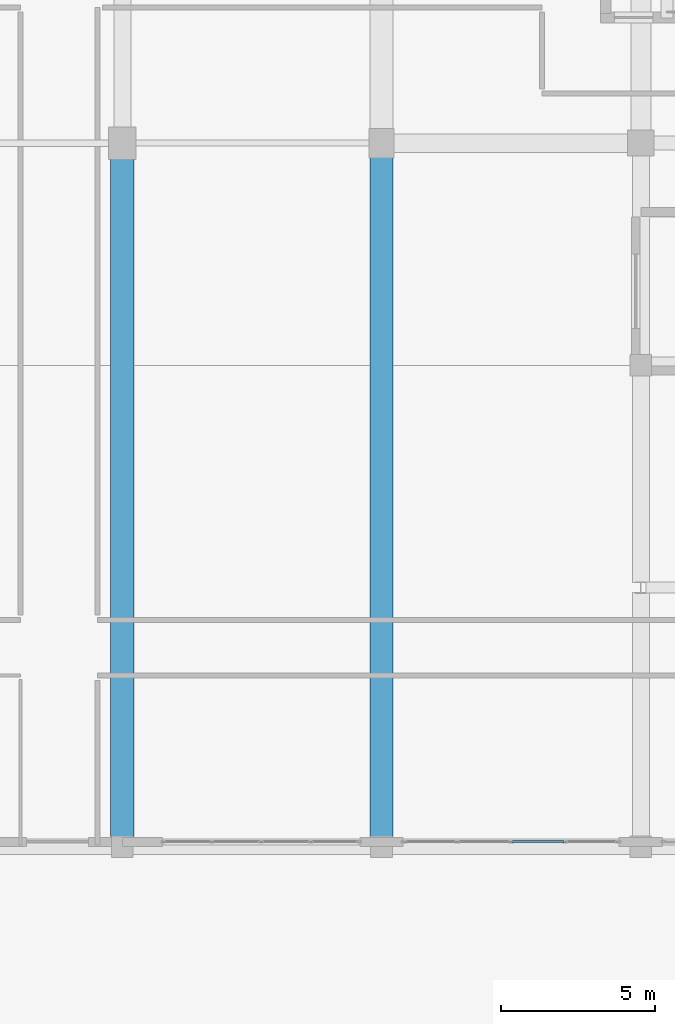
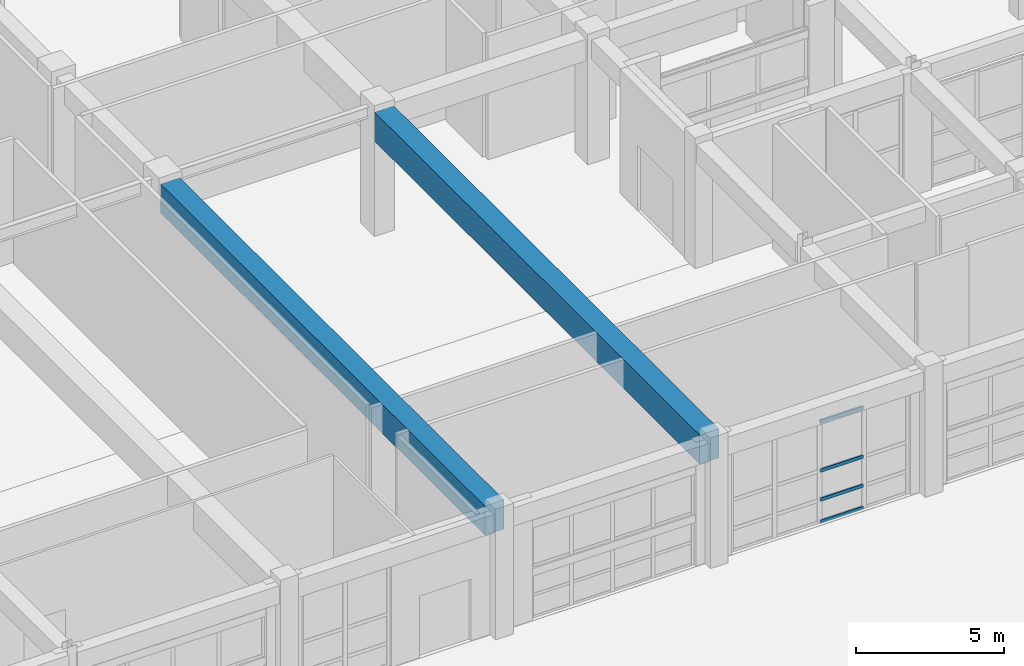
# One storey, part 65 of 148: 4 members, 2 beams, 1 element without a shape of its own.
"""IFC4 building model written with IfcOpenShell, lengths in metres."""

from ifc_helpers import new_model, si_unit, direction, frame, origin, origin_2d, place, context, subcontext, project, spatial, rectangle, hollow_rectangle, extrude, material, layer, layer_set, material_profile, profile_set, type_object, element, aggregate, save


model = new_model("IFC4")

# Units and contexts
model_context = context("Model", 3, precision=1e-05, world=origin(), true_north=direction((0.0, 1.0)))
body_context = subcontext(model_context, "Body", "Model", "MODEL_VIEW")
ifc_project = project(units=[si_unit("LENGTHUNIT", "METRE"), si_unit("AREAUNIT", "SQUARE_METRE"), si_unit("VOLUMEUNIT", "CUBIC_METRE"), si_unit("PLANEANGLEUNIT", "RADIAN"), si_unit("MASSUNIT", "GRAM", prefix="KILO")], contexts=[model_context])

# Site, building, storey
site_placement = place(None, origin())
site = spatial("IfcSite", under=ifc_project, at=site_placement, CompositionType="ELEMENT")
building_placement = place(site_placement, origin())
building = spatial("IfcBuilding", under=site, at=building_placement, Name="Quendrovan Civic Courthouse", CompositionType="ELEMENT")
storey_placement = place(building_placement, origin())
storey = spatial("IfcBuildingStorey", under=building, at=storey_placement, Name="L01", CompositionType="ELEMENT", Elevation=0.0)

# Beams
ifc_material_1 = material(Name="Post-tensioned concrete C50/60", Category="concrete")
ifc_material_profile_1 = material_profile(ifc_material_1, rectangle(XDim=0.75, YDim=1.199951171875, at=origin_2d()), Name="PT-GIRD-750x1200")
ifc_profile_set_1 = profile_set([ifc_material_profile_1], Name="Post-tensioned concrete C50/60")
beam_type = type_object("IfcBeamType", Name="BM-PT1200", PredefinedType="BEAM", material=ifc_profile_set_1)
beam_1_placement = place(storey_placement, frame((67.199951171875, 65.1298828125, 4.52001953125), z_axis=(0.0, 1.0, 0.0), x_axis=(-1.0, 0.0, 0.0)))
element("IfcBeam", 1, at=beam_1_placement, inside=storey, type_object=beam_type, Name="L01 Girder Y0427", PredefinedType="BEAM", context=body_context, shape_type="SweptSolid", body=[
    extrude(rectangle(XDim=0.75, YDim=1.199951171875, at=origin_2d()), origin(), (0.0, 0.0, 1.0), 21.965087890625),
])
beam_2_placement = place(storey_placement, frame((75.60009765625, 65.1298828125, 4.52001953125), z_axis=(0.0, 1.0, 0.0), x_axis=(-1.0, 0.0, 0.0)))
element("IfcBeam", 2, at=beam_2_placement, inside=storey, type_object=beam_type, Name="L01 Girder Y0433", PredefinedType="BEAM", context=body_context, shape_type="SweptSolid", body=[
    extrude(rectangle(XDim=0.75, YDim=1.199951171875, at=origin_2d()), origin(), (0.0, 0.0, 1.0), 22.01513671875),
])

# Curtain wall, members
ifc_material_2 = material(Name="Bronze anodised aluminium and low-E glass", Category="aluminium")
ifc_layer = layer(ifc_material_2, 0.179931640625, Name="Bronze anodised aluminium and low-E glass")
ifc_layer_set = layer_set([ifc_layer], Name="Bronze anodised aluminium and low-E glass")
curtain_wall_type = type_object("IfcCurtainWallType", Name="CW-U70x42", PredefinedType="USERDEFINED", material=ifc_layer_set)
curtain_wall_placement = place(storey_placement, origin())
curtain_wall = element("IfcCurtainWall", 3, at=curtain_wall_placement, inside=storey, type_object=curtain_wall_type, Name="L01 Unitised Hurricane Curtain Wall CW-060", ObjectType="UNITISED CURTAIN WALL", PredefinedType="USERDEFINED")
ifc_material_3 = material(Name="Bronze anodised aluminium", Category="aluminium")
ifc_material_profile_2 = material_profile(ifc_material_3, hollow_rectangle(XDim=0.070068359375, YDim=0.139892578125, WallThickness=0.00390625, at=origin_2d()), Name="CW-TRAN-70x140")
ifc_profile_set_2 = profile_set([ifc_material_profile_2], Name="Bronze anodised aluminium")
member_type = type_object("IfcMemberType", Name="CW-TRAN-A", PredefinedType="USERDEFINED", material=ifc_profile_set_2)
member_1_placement = place(storey_placement, frame((81.514892578125, 64.965087890625, 0.034912109375), z_axis=(-1.0, 0.0, 0.0), x_axis=(0.0, -1.0, 0.0)))
member_1 = element("IfcMember", 4, at=member_1_placement, type_object=member_type, Name="CW-060 transom 2.1", ObjectType="TRANSOM", PredefinedType="USERDEFINED", context=body_context, shape_type="SweptSolid", body=[
    extrude(hollow_rectangle(XDim=0.070068359375, YDim=0.139892578125, WallThickness=0.00390625, at=origin_2d()), origin(), (0.0, 0.0, 1.0), 1.679931640625),
])
member_2_placement = place(storey_placement, frame((81.514892578125, 64.965087890625, 0.949951171875), z_axis=(-1.0, 0.0, 0.0), x_axis=(0.0, -1.0, 0.0)))
member_2 = element("IfcMember", 5, at=member_2_placement, type_object=member_type, Name="CW-060 transom 2.2", ObjectType="TRANSOM", PredefinedType="USERDEFINED", context=body_context, shape_type="SweptSolid", body=[
    extrude(hollow_rectangle(XDim=0.070068359375, YDim=0.139892578125, WallThickness=0.00390625, at=origin_2d()), origin(), (0.0, 0.0, 1.0), 1.679931640625),
])
member_3_placement = place(storey_placement, frame((81.514892578125, 64.965087890625, 2.14990234375), z_axis=(-1.0, 0.0, 0.0), x_axis=(0.0, -1.0, 0.0)))
member_3 = element("IfcMember", 6, at=member_3_placement, type_object=member_type, Name="CW-060 transom 2.3", ObjectType="TRANSOM", PredefinedType="USERDEFINED", context=body_context, shape_type="SweptSolid", body=[
    extrude(hollow_rectangle(XDim=0.070068359375, YDim=0.139892578125, WallThickness=0.00390625, at=origin_2d()), origin(), (0.0, 0.0, 1.0), 1.679931640625),
])
member_4_placement = place(storey_placement, frame((81.514892578125, 64.965087890625, 4.1650390625), z_axis=(-1.0, 0.0, 0.0), x_axis=(0.0, -1.0, 0.0)))
member_4 = element("IfcMember", 7, at=member_4_placement, type_object=member_type, Name="CW-060 transom 2.4", ObjectType="TRANSOM", PredefinedType="USERDEFINED", context=body_context, shape_type="SweptSolid", body=[
    extrude(hollow_rectangle(XDim=0.070068359375, YDim=0.139892578125, WallThickness=0.00390625, at=origin_2d()), origin(), (0.0, 0.0, 1.0), 1.679931640625),
])
aggregate(curtain_wall, [member_1, member_2, member_3, member_4])

save(model, "model.ifc")
